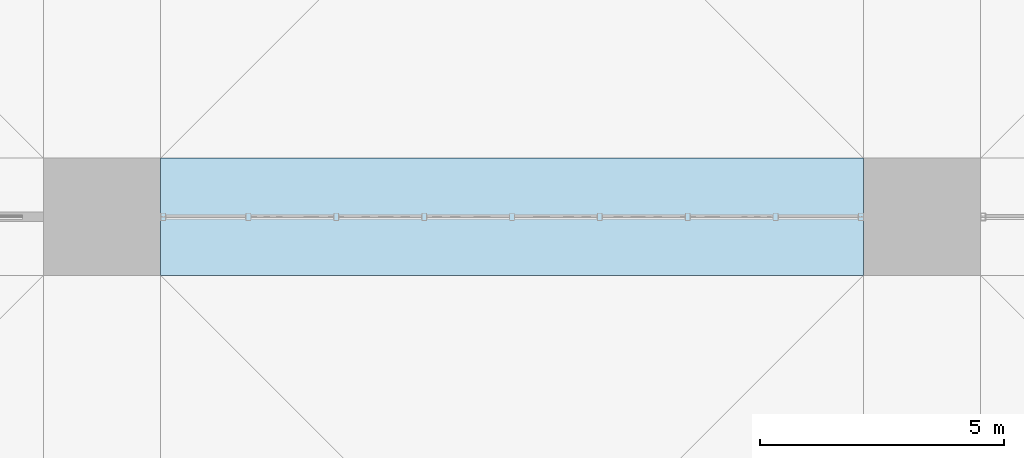
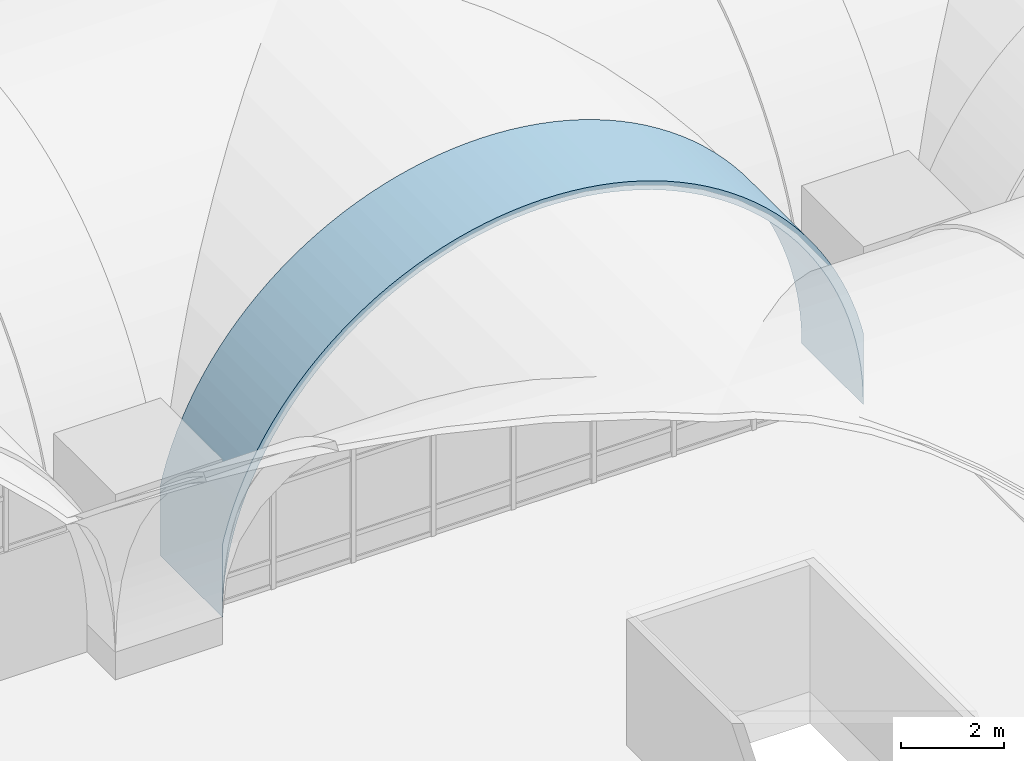
# One storey, part 130 of 169: 1 roof.
"""IFC4 building model written with IfcOpenShell, lengths in metres."""

from ifc_helpers import new_model, si_unit, direction, frame, origin, place, context, subcontext, project, spatial, polygons, material, layer, layer_set, type_object, element, save


model = new_model("IFC4")

# Units and contexts
model_context = context("Model", 3, precision=1e-05, world=origin(), true_north=direction((0.0, 1.0)))
body_context = subcontext(model_context, "Body", "Model", "MODEL_VIEW")
ifc_project = project(units=[si_unit("LENGTHUNIT", "METRE"), si_unit("AREAUNIT", "SQUARE_METRE"), si_unit("VOLUMEUNIT", "CUBIC_METRE"), si_unit("PLANEANGLEUNIT", "RADIAN"), si_unit("MASSUNIT", "GRAM", prefix="KILO")], contexts=[model_context])

# Site, building, storey
site_placement = place(None, origin())
site = spatial("IfcSite", under=ifc_project, at=site_placement, CompositionType="ELEMENT")
building_placement = place(site_placement, origin())
building = spatial("IfcBuilding", under=site, at=building_placement, Name="Verrick Yard Athletic Hall", CompositionType="ELEMENT")
storey_placement = place(building_placement, frame((0.0, 0.0, 4.39990234375)))
storey = spatial("IfcBuildingStorey", under=building, at=storey_placement, Name="L01", CompositionType="ELEMENT", Elevation=4.39990234375)

# Roof
ifc_material = material(Name="Concrete 35 MPa", Category="concrete")
ifc_layer = layer(ifc_material, 0.199951171875)
ifc_layer_set = layer_set([ifc_layer], Name="Arch rib 200")
roof_type = type_object("IfcRoofType", Name="Arch rib 200", PredefinedType="BARREL_ROOF", material=ifc_layer_set)
roof_placement = place(storey_placement, origin())
element("IfcRoof", 1, at=roof_placement, inside=storey, type_object=roof_type, Name="Vault rib M5", PredefinedType="BARREL_ROOF", context=body_context, shape_type="Tessellation", body=[
    polygons([(108.39990234375, 34.800048828125, 2.352294921875), (108.39990234375, 34.800048828125, 0.650146484375), (108.406982421875, 34.800048828125, 0.964111328125), (108.427490234375, 34.800048828125, 1.277587890625), (108.461669921875, 34.800048828125, 1.58984375), (108.509521484375, 34.800048828125, 1.900390625), (108.57080078125, 34.800048828125, 2.20849609375), (108.645263671875, 34.800048828125, 2.513671875), (108.733154296875, 34.800048828125, 2.815185546875), (108.834228515625, 34.800048828125, 3.112548828125), (108.947998046875, 34.800048828125, 3.405517578125), (109.07470703125, 34.800048828125, 3.693115234375), (109.21337890625, 34.800048828125, 3.974609375), (109.364501953125, 34.800048828125, 4.25), (109.527587890625, 34.800048828125, 4.518798828125), (109.7021484375, 34.800048828125, 4.77978515625), (109.887939453125, 34.800048828125, 5.033203125), (110.08447265625, 34.800048828125, 5.278076171875), (110.29150390625, 34.800048828125, 5.514404296875), (110.5087890625, 34.800048828125, 5.7412109375), (110.73583984375, 34.800048828125, 5.95849609375), (110.971923828125, 34.800048828125, 6.16552734375), (111.216796875, 34.800048828125, 6.3623046875), (111.47021484375, 34.800048828125, 6.548095703125), (111.7314453125, 34.800048828125, 6.722412109375), (112.0, 34.800048828125, 6.885498046875), (112.275390625, 34.800048828125, 7.03662109375), (112.55712890625, 34.800048828125, 7.175537109375), (112.8447265625, 34.800048828125, 7.302001953125), (113.137451171875, 34.800048828125, 7.416015625), (113.434814453125, 34.800048828125, 7.516845703125), (113.736572265625, 34.800048828125, 7.604736328125), (114.04150390625, 34.800048828125, 7.679443359375), (114.349609375, 34.800048828125, 7.74072265625), (114.66015625, 34.800048828125, 7.78857421875), (114.972412109375, 34.800048828125, 7.82275390625), (115.285888671875, 34.800048828125, 7.84326171875), (115.60009765625, 34.800048828125, 7.85009765625), (115.9140625, 34.800048828125, 7.84326171875), (116.2275390625, 34.800048828125, 7.82275390625), (116.539794921875, 34.800048828125, 7.78857421875), (116.850341796875, 34.800048828125, 7.74072265625), (117.158447265625, 34.800048828125, 7.679443359375), (117.46337890625, 34.800048828125, 7.604736328125), (117.76513671875, 34.800048828125, 7.516845703125), (118.0625, 34.800048828125, 7.416015625), (118.355224609375, 34.800048828125, 7.302001953125), (118.642822265625, 34.800048828125, 7.175537109375), (118.924560546875, 34.800048828125, 7.03662109375), (119.199951171875, 34.800048828125, 6.885498046875), (119.468505859375, 34.800048828125, 6.722412109375), (119.729736328125, 34.800048828125, 6.548095703125), (119.983154296875, 34.800048828125, 6.3623046875), (120.22802734375, 34.800048828125, 6.16552734375), (120.464111328125, 34.800048828125, 5.95849609375), (120.691162109375, 34.800048828125, 5.7412109375), (120.908447265625, 34.800048828125, 5.514404296875), (121.115478515625, 34.800048828125, 5.278076171875), (121.31201171875, 34.800048828125, 5.033203125), (121.497802734375, 34.800048828125, 4.77978515625), (121.67236328125, 34.800048828125, 4.518798828125), (121.83544921875, 34.800048828125, 4.25), (121.986572265625, 34.800048828125, 3.974609375), (122.12548828125, 34.800048828125, 3.693115234375), (122.251953125, 34.800048828125, 3.405517578125), (122.36572265625, 34.800048828125, 3.112548828125), (122.466796875, 34.800048828125, 2.815185546875), (122.5546875, 34.800048828125, 2.513671875), (122.62939453125, 34.800048828125, 2.20849609375), (122.690673828125, 34.800048828125, 1.900390625), (122.73828125, 34.800048828125, 1.58984375), (122.772705078125, 34.800048828125, 1.277587890625), (122.793212890625, 34.800048828125, 0.964111328125), (122.800048828125, 34.800048828125, 0.650146484375), (122.800048828125, 34.800048828125, 2.352294921875), (122.747802734375, 34.800048828125, 2.5654296875), (122.657470703125, 34.800048828125, 2.875244140625), (122.5537109375, 34.800048828125, 3.180908203125), (122.436767578125, 34.800048828125, 3.48193359375), (122.306640625, 34.800048828125, 3.777587890625), (122.163818359375, 34.800048828125, 4.06689453125), (122.008544921875, 34.800048828125, 4.35009765625), (121.841064453125, 34.800048828125, 4.6259765625), (121.66162109375, 34.800048828125, 4.89453125), (121.470703125, 34.800048828125, 5.15478515625), (121.268798828125, 34.800048828125, 5.40673828125), (121.055908203125, 34.800048828125, 5.6494140625), (120.83251953125, 34.800048828125, 5.8828125), (120.599365234375, 34.800048828125, 6.10595703125), (120.356689453125, 34.800048828125, 6.31884765625), (120.104736328125, 34.800048828125, 6.52099609375), (119.844482421875, 34.800048828125, 6.7119140625), (119.575927734375, 34.800048828125, 6.89111328125), (119.300048828125, 34.800048828125, 7.05859375), (119.016845703125, 34.800048828125, 7.214111328125), (118.727294921875, 34.800048828125, 7.356689453125), (118.431884765625, 34.800048828125, 7.48681640625), (118.130859375, 34.800048828125, 7.603759765625), (117.8251953125, 34.800048828125, 7.70751953125), (117.515380859375, 34.800048828125, 7.798095703125), (117.20166015625, 34.800048828125, 7.874755859375), (116.885009765625, 34.800048828125, 7.937744140625), (116.56591796875, 34.800048828125, 7.98681640625), (116.2451171875, 34.800048828125, 8.02197265625), (115.9228515625, 34.800048828125, 8.043212890625), (115.60009765625, 34.800048828125, 8.050048828125), (115.277099609375, 34.800048828125, 8.043212890625), (114.955078125, 34.800048828125, 8.02197265625), (114.634033203125, 34.800048828125, 7.98681640625), (114.31494140625, 34.800048828125, 7.937744140625), (113.998291015625, 34.800048828125, 7.874755859375), (113.684814453125, 34.800048828125, 7.798095703125), (113.374755859375, 34.800048828125, 7.70751953125), (113.069091796875, 34.800048828125, 7.603759765625), (112.76806640625, 34.800048828125, 7.48681640625), (112.47265625, 34.800048828125, 7.356689453125), (112.18310546875, 34.800048828125, 7.214111328125), (111.89990234375, 34.800048828125, 7.05859375), (111.6240234375, 34.800048828125, 6.89111328125), (111.35546875, 34.800048828125, 6.7119140625), (111.09521484375, 34.800048828125, 6.52099609375), (110.843505859375, 34.800048828125, 6.31884765625), (110.6005859375, 34.800048828125, 6.10595703125), (110.367431640625, 34.800048828125, 5.8828125), (110.14404296875, 34.800048828125, 5.6494140625), (109.931396484375, 34.800048828125, 5.40673828125), (109.729248046875, 34.800048828125, 5.15478515625), (109.538330078125, 34.800048828125, 4.89453125), (109.35888671875, 34.800048828125, 4.6259765625), (109.19140625, 34.800048828125, 4.35009765625), (109.0361328125, 34.800048828125, 4.06689453125), (108.893310546875, 34.800048828125, 3.777587890625), (108.76318359375, 34.800048828125, 3.48193359375), (108.646240234375, 34.800048828125, 3.180908203125), (108.54248046875, 34.800048828125, 2.875244140625), (108.4521484375, 34.800048828125, 2.5654296875), (108.39990234375, 37.199951171875, 2.352294921875), (108.39990234375, 37.199951171875, 0.650146484375), (108.406982421875, 37.199951171875, 0.964111328125), (108.427490234375, 37.199951171875, 1.277587890625), (108.461669921875, 37.199951171875, 1.58984375), (108.509521484375, 37.199951171875, 1.900390625), (108.57080078125, 37.199951171875, 2.20849609375), (108.645263671875, 37.199951171875, 2.513671875), (108.733154296875, 37.199951171875, 2.815185546875), (108.834228515625, 37.199951171875, 3.112548828125), (108.947998046875, 37.199951171875, 3.405517578125), (109.07470703125, 37.199951171875, 3.693115234375), (109.21337890625, 37.199951171875, 3.974609375), (109.364501953125, 37.199951171875, 4.25), (109.527587890625, 37.199951171875, 4.518798828125), (109.7021484375, 37.199951171875, 4.77978515625), (109.887939453125, 37.199951171875, 5.033203125), (110.08447265625, 37.199951171875, 5.278076171875), (110.29150390625, 37.199951171875, 5.514404296875), (110.5087890625, 37.199951171875, 5.7412109375), (110.73583984375, 37.199951171875, 5.95849609375), (110.971923828125, 37.199951171875, 6.16552734375), (111.216796875, 37.199951171875, 6.3623046875), (111.47021484375, 37.199951171875, 6.548095703125), (111.7314453125, 37.199951171875, 6.722412109375), (112.0, 37.199951171875, 6.885498046875), (112.275390625, 37.199951171875, 7.03662109375), (112.55712890625, 37.199951171875, 7.175537109375), (112.8447265625, 37.199951171875, 7.302001953125), (113.137451171875, 37.199951171875, 7.416015625), (113.434814453125, 37.199951171875, 7.516845703125), (113.736572265625, 37.199951171875, 7.604736328125), (114.04150390625, 37.199951171875, 7.679443359375), (114.349609375, 37.199951171875, 7.74072265625), (114.66015625, 37.199951171875, 7.78857421875), (114.972412109375, 37.199951171875, 7.82275390625), (115.285888671875, 37.199951171875, 7.84326171875), (115.60009765625, 37.199951171875, 7.85009765625), (115.9140625, 37.199951171875, 7.84326171875), (116.2275390625, 37.199951171875, 7.82275390625), (116.539794921875, 37.199951171875, 7.78857421875), (116.850341796875, 37.199951171875, 7.74072265625), (117.158447265625, 37.199951171875, 7.679443359375), (117.46337890625, 37.199951171875, 7.604736328125), (117.76513671875, 37.199951171875, 7.516845703125), (118.0625, 37.199951171875, 7.416015625), (118.355224609375, 37.199951171875, 7.302001953125), (118.642822265625, 37.199951171875, 7.175537109375), (118.924560546875, 37.199951171875, 7.03662109375), (119.199951171875, 37.199951171875, 6.885498046875), (119.468505859375, 37.199951171875, 6.722412109375), (119.729736328125, 37.199951171875, 6.548095703125), (119.983154296875, 37.199951171875, 6.3623046875), (120.22802734375, 37.199951171875, 6.16552734375), (120.464111328125, 37.199951171875, 5.95849609375), (120.691162109375, 37.199951171875, 5.7412109375), (120.908447265625, 37.199951171875, 5.514404296875), (121.115478515625, 37.199951171875, 5.278076171875), (121.31201171875, 37.199951171875, 5.033203125), (121.497802734375, 37.199951171875, 4.77978515625), (121.67236328125, 37.199951171875, 4.518798828125), (121.83544921875, 37.199951171875, 4.25), (121.986572265625, 37.199951171875, 3.974609375), (122.12548828125, 37.199951171875, 3.693115234375), (122.251953125, 37.199951171875, 3.405517578125), (122.36572265625, 37.199951171875, 3.112548828125), (122.466796875, 37.199951171875, 2.815185546875), (122.5546875, 37.199951171875, 2.513671875), (122.62939453125, 37.199951171875, 2.20849609375), (122.690673828125, 37.199951171875, 1.900390625), (122.73828125, 37.199951171875, 1.58984375), (122.772705078125, 37.199951171875, 1.277587890625), (122.793212890625, 37.199951171875, 0.964111328125), (122.800048828125, 37.199951171875, 0.650146484375), (122.800048828125, 37.199951171875, 2.352294921875), (122.747802734375, 37.199951171875, 2.5654296875), (122.657470703125, 37.199951171875, 2.875244140625), (122.5537109375, 37.199951171875, 3.180908203125), (122.436767578125, 37.199951171875, 3.48193359375), (122.306640625, 37.199951171875, 3.777587890625), (122.163818359375, 37.199951171875, 4.06689453125), (122.008544921875, 37.199951171875, 4.35009765625), (121.841064453125, 37.199951171875, 4.6259765625), (121.66162109375, 37.199951171875, 4.89453125), (121.470703125, 37.199951171875, 5.15478515625), (121.268798828125, 37.199951171875, 5.40673828125), (121.055908203125, 37.199951171875, 5.6494140625), (120.83251953125, 37.199951171875, 5.8828125), (120.599365234375, 37.199951171875, 6.10595703125), (120.356689453125, 37.199951171875, 6.31884765625), (120.104736328125, 37.199951171875, 6.52099609375), (119.844482421875, 37.199951171875, 6.7119140625), (119.575927734375, 37.199951171875, 6.89111328125), (119.300048828125, 37.199951171875, 7.05859375), (119.016845703125, 37.199951171875, 7.214111328125), (118.727294921875, 37.199951171875, 7.356689453125), (118.431884765625, 37.199951171875, 7.48681640625), (118.130859375, 37.199951171875, 7.603759765625), (117.8251953125, 37.199951171875, 7.70751953125), (117.515380859375, 37.199951171875, 7.798095703125), (117.20166015625, 37.199951171875, 7.874755859375), (116.885009765625, 37.199951171875, 7.937744140625), (116.56591796875, 37.199951171875, 7.98681640625), (116.2451171875, 37.199951171875, 8.02197265625), (115.9228515625, 37.199951171875, 8.043212890625), (115.60009765625, 37.199951171875, 8.050048828125), (115.277099609375, 37.199951171875, 8.043212890625), (114.955078125, 37.199951171875, 8.02197265625), (114.634033203125, 37.199951171875, 7.98681640625), (114.31494140625, 37.199951171875, 7.937744140625), (113.998291015625, 37.199951171875, 7.874755859375), (113.684814453125, 37.199951171875, 7.798095703125), (113.374755859375, 37.199951171875, 7.70751953125), (113.069091796875, 37.199951171875, 7.603759765625), (112.76806640625, 37.199951171875, 7.48681640625), (112.47265625, 37.199951171875, 7.356689453125), (112.18310546875, 37.199951171875, 7.214111328125), (111.89990234375, 37.199951171875, 7.05859375), (111.6240234375, 37.199951171875, 6.89111328125), (111.35546875, 37.199951171875, 6.7119140625), (111.09521484375, 37.199951171875, 6.52099609375), (110.843505859375, 37.199951171875, 6.31884765625), (110.6005859375, 37.199951171875, 6.10595703125), (110.367431640625, 37.199951171875, 5.8828125), (110.14404296875, 37.199951171875, 5.6494140625), (109.931396484375, 37.199951171875, 5.40673828125), (109.729248046875, 37.199951171875, 5.15478515625), (109.538330078125, 37.199951171875, 4.89453125), (109.35888671875, 37.199951171875, 4.6259765625), (109.19140625, 37.199951171875, 4.35009765625), (109.0361328125, 37.199951171875, 4.06689453125), (108.893310546875, 37.199951171875, 3.777587890625), (108.76318359375, 37.199951171875, 3.48193359375), (108.646240234375, 37.199951171875, 3.180908203125), (108.54248046875, 37.199951171875, 2.875244140625), (108.4521484375, 37.199951171875, 2.5654296875)], [[[1, 2, 3]], [[137, 139, 138]], [[136, 1, 3]], [[272, 139, 137]], [[136, 3, 4]], [[272, 140, 139]], [[136, 4, 5]], [[272, 141, 140]], [[136, 5, 6]], [[272, 142, 141]], [[136, 6, 7]], [[272, 143, 142]], [[136, 7, 8]], [[272, 144, 143]], [[136, 8, 9]], [[272, 145, 144]], [[136, 9, 10]], [[272, 146, 145]], [[136, 10, 11]], [[272, 147, 146]], [[136, 11, 12]], [[272, 148, 147]], [[136, 12, 13]], [[272, 149, 148]], [[73, 74, 75]], [[209, 211, 210]], [[72, 73, 75]], [[208, 211, 209]], [[71, 72, 75]], [[207, 211, 208]], [[70, 71, 75]], [[206, 211, 207]], [[69, 70, 75]], [[205, 211, 206]], [[68, 69, 75]], [[204, 211, 205]], [[67, 68, 75]], [[203, 211, 204]], [[66, 67, 75]], [[202, 211, 203]], [[65, 66, 75]], [[201, 211, 202]], [[64, 65, 75]], [[200, 211, 201]], [[63, 64, 75]], [[199, 211, 200]], [[63, 75, 76]], [[199, 212, 211]], [[63, 76, 77]], [[199, 213, 212]], [[62, 63, 77]], [[198, 213, 199]], [[62, 77, 78]], [[198, 214, 213]], [[61, 62, 78]], [[197, 214, 198]], [[61, 78, 79]], [[197, 215, 214]], [[60, 61, 79]], [[196, 215, 197]], [[60, 79, 80]], [[196, 216, 215]], [[59, 60, 80]], [[195, 216, 196]], [[59, 80, 81]], [[195, 217, 216]], [[58, 59, 81]], [[194, 217, 195]], [[58, 81, 82]], [[194, 218, 217]], [[57, 58, 82]], [[193, 218, 194]], [[57, 82, 83]], [[193, 219, 218]], [[56, 57, 83]], [[192, 219, 193]], [[56, 83, 84]], [[192, 220, 219]], [[55, 56, 84]], [[191, 220, 192]], [[55, 84, 85]], [[191, 221, 220]], [[54, 55, 85]], [[190, 221, 191]], [[54, 85, 86]], [[190, 222, 221]], [[53, 54, 86]], [[189, 222, 190]], [[53, 86, 87]], [[189, 223, 222]], [[52, 53, 87]], [[188, 223, 189]], [[52, 87, 88]], [[188, 224, 223]], [[51, 52, 88]], [[187, 224, 188]], [[51, 88, 89]], [[187, 225, 224]], [[50, 51, 89]], [[186, 225, 187]], [[50, 89, 90]], [[186, 226, 225]], [[49, 50, 90]], [[185, 226, 186]], [[49, 90, 91]], [[185, 227, 226]], [[48, 49, 91]], [[184, 227, 185]], [[48, 91, 92]], [[184, 228, 227]], [[47, 48, 92]], [[183, 228, 184]], [[47, 92, 93]], [[183, 229, 228]], [[46, 47, 93]], [[182, 229, 183]], [[46, 93, 94]], [[182, 230, 229]], [[45, 46, 94]], [[181, 230, 182]], [[45, 94, 95]], [[181, 231, 230]], [[44, 45, 95]], [[180, 231, 181]], [[44, 95, 96]], [[180, 232, 231]], [[43, 44, 96]], [[179, 232, 180]], [[43, 96, 97]], [[179, 233, 232]], [[42, 43, 97]], [[178, 233, 179]], [[42, 97, 98]], [[178, 234, 233]], [[41, 42, 98]], [[177, 234, 178]], [[41, 98, 99]], [[177, 235, 234]], [[40, 41, 99]], [[176, 235, 177]], [[40, 99, 100]], [[176, 236, 235]], [[39, 40, 100]], [[175, 236, 176]], [[39, 100, 101]], [[175, 237, 236]], [[38, 39, 101]], [[174, 237, 175]], [[38, 101, 102]], [[174, 238, 237]], [[37, 38, 102]], [[173, 238, 174]], [[37, 102, 103]], [[173, 239, 238]], [[36, 37, 103]], [[172, 239, 173]], [[36, 103, 104]], [[172, 240, 239]], [[35, 36, 104]], [[171, 240, 172]], [[35, 104, 105]], [[171, 241, 240]], [[34, 35, 105]], [[170, 241, 171]], [[34, 105, 106]], [[170, 242, 241]], [[33, 34, 106]], [[169, 242, 170]], [[33, 106, 107]], [[169, 243, 242]], [[32, 33, 107]], [[168, 243, 169]], [[32, 107, 108]], [[168, 244, 243]], [[31, 32, 108]], [[167, 244, 168]], [[31, 108, 109]], [[167, 245, 244]], [[30, 31, 109]], [[166, 245, 167]], [[30, 109, 110]], [[166, 246, 245]], [[29, 30, 110]], [[165, 246, 166]], [[29, 110, 111]], [[165, 247, 246]], [[28, 29, 111]], [[164, 247, 165]], [[28, 111, 112]], [[164, 248, 247]], [[27, 28, 112]], [[163, 248, 164]], [[27, 112, 113]], [[163, 249, 248]], [[26, 27, 113]], [[162, 249, 163]], [[26, 113, 114]], [[162, 250, 249]], [[25, 26, 114]], [[161, 250, 162]], [[25, 114, 115]], [[161, 251, 250]], [[24, 25, 115]], [[160, 251, 161]], [[24, 115, 116]], [[160, 252, 251]], [[23, 24, 116]], [[159, 252, 160]], [[23, 116, 117]], [[159, 253, 252]], [[22, 23, 117]], [[158, 253, 159]], [[22, 117, 118]], [[158, 254, 253]], [[21, 22, 118]], [[157, 254, 158]], [[21, 118, 119]], [[157, 255, 254]], [[20, 21, 119]], [[156, 255, 157]], [[20, 119, 120]], [[156, 256, 255]], [[19, 20, 120]], [[155, 256, 156]], [[19, 120, 121]], [[155, 257, 256]], [[18, 19, 121]], [[154, 257, 155]], [[18, 121, 122]], [[154, 258, 257]], [[17, 18, 122]], [[153, 258, 154]], [[17, 122, 123]], [[153, 259, 258]], [[16, 17, 123]], [[152, 259, 153]], [[16, 123, 124]], [[152, 260, 259]], [[15, 16, 124]], [[151, 260, 152]], [[15, 124, 125]], [[151, 261, 260]], [[14, 15, 125]], [[150, 261, 151]], [[14, 125, 126]], [[150, 262, 261]], [[13, 14, 126]], [[149, 262, 150]], [[136, 13, 126]], [[272, 262, 149]], [[136, 126, 127]], [[272, 263, 262]], [[136, 127, 128]], [[272, 264, 263]], [[136, 128, 129]], [[272, 265, 264]], [[136, 129, 130]], [[272, 266, 265]], [[136, 130, 131]], [[272, 267, 266]], [[136, 131, 132]], [[272, 268, 267]], [[136, 132, 133]], [[272, 269, 268]], [[136, 133, 134]], [[272, 270, 269]], [[134, 135, 136]], [[270, 272, 271]], [[1, 138, 2]], [[1, 137, 138]], [[2, 139, 3]], [[2, 138, 139]], [[3, 140, 4]], [[3, 139, 140]], [[4, 141, 5]], [[4, 140, 141]], [[5, 142, 6]], [[5, 141, 142]], [[6, 143, 7]], [[6, 142, 143]], [[7, 144, 8]], [[7, 143, 144]], [[8, 145, 9]], [[8, 144, 145]], [[9, 146, 10]], [[9, 145, 146]], [[10, 147, 11]], [[10, 146, 147]], [[11, 148, 12]], [[11, 147, 148]], [[12, 149, 13]], [[12, 148, 149]], [[13, 150, 14]], [[13, 149, 150]], [[14, 151, 15]], [[14, 150, 151]], [[15, 152, 16]], [[15, 151, 152]], [[16, 153, 17]], [[16, 152, 153]], [[17, 154, 18]], [[17, 153, 154]], [[18, 155, 19]], [[18, 154, 155]], [[19, 156, 20]], [[19, 155, 156]], [[20, 157, 21]], [[20, 156, 157]], [[21, 158, 22]], [[21, 157, 158]], [[22, 159, 23]], [[22, 158, 159]], [[23, 160, 24]], [[23, 159, 160]], [[24, 161, 25]], [[24, 160, 161]], [[25, 162, 26]], [[25, 161, 162]], [[26, 163, 27]], [[26, 162, 163]], [[27, 164, 28]], [[27, 163, 164]], [[28, 165, 29]], [[28, 164, 165]], [[29, 166, 30]], [[29, 165, 166]], [[30, 167, 31]], [[30, 166, 167]], [[31, 168, 32]], [[31, 167, 168]], [[32, 169, 33]], [[32, 168, 169]], [[33, 170, 34]], [[33, 169, 170]], [[34, 171, 35]], [[34, 170, 171]], [[35, 172, 36]], [[35, 171, 172]], [[36, 173, 37]], [[36, 172, 173]], [[37, 174, 38]], [[37, 173, 174]], [[38, 175, 39]], [[38, 174, 175]], [[39, 176, 40]], [[39, 175, 176]], [[40, 177, 41]], [[40, 176, 177]], [[41, 178, 42]], [[41, 177, 178]], [[42, 179, 43]], [[42, 178, 179]], [[43, 180, 44]], [[43, 179, 180]], [[44, 181, 45]], [[44, 180, 181]], [[45, 182, 46]], [[45, 181, 182]], [[46, 183, 47]], [[46, 182, 183]], [[47, 184, 48]], [[47, 183, 184]], [[48, 185, 49]], [[48, 184, 185]], [[49, 186, 50]], [[49, 185, 186]], [[50, 187, 51]], [[50, 186, 187]], [[51, 188, 52]], [[51, 187, 188]], [[52, 189, 53]], [[52, 188, 189]], [[53, 190, 54]], [[53, 189, 190]], [[54, 191, 55]], [[54, 190, 191]], [[55, 192, 56]], [[55, 191, 192]], [[56, 193, 57]], [[56, 192, 193]], [[57, 194, 58]], [[57, 193, 194]], [[58, 195, 59]], [[58, 194, 195]], [[59, 196, 60]], [[59, 195, 196]], [[60, 197, 61]], [[60, 196, 197]], [[61, 198, 62]], [[61, 197, 198]], [[62, 199, 63]], [[62, 198, 199]], [[63, 200, 64]], [[63, 199, 200]], [[64, 201, 65]], [[64, 200, 201]], [[65, 202, 66]], [[65, 201, 202]], [[66, 203, 67]], [[66, 202, 203]], [[67, 204, 68]], [[67, 203, 204]], [[68, 205, 69]], [[68, 204, 205]], [[69, 206, 70]], [[69, 205, 206]], [[70, 207, 71]], [[70, 206, 207]], [[71, 208, 72]], [[71, 207, 208]], [[72, 209, 73]], [[72, 208, 209]], [[73, 210, 74]], [[73, 209, 210]], [[74, 211, 75]], [[74, 210, 211]], [[75, 212, 76]], [[75, 211, 212]], [[76, 213, 77]], [[76, 212, 213]], [[77, 214, 78]], [[77, 213, 214]], [[78, 215, 79]], [[78, 214, 215]], [[79, 216, 80]], [[79, 215, 216]], [[80, 217, 81]], [[80, 216, 217]], [[81, 218, 82]], [[81, 217, 218]], [[82, 219, 83]], [[82, 218, 219]], [[83, 220, 84]], [[83, 219, 220]], [[84, 221, 85]], [[84, 220, 221]], [[85, 222, 86]], [[85, 221, 222]], [[86, 223, 87]], [[86, 222, 223]], [[87, 224, 88]], [[87, 223, 224]], [[88, 225, 89]], [[88, 224, 225]], [[89, 226, 90]], [[89, 225, 226]], [[90, 227, 91]], [[90, 226, 227]], [[91, 228, 92]], [[91, 227, 228]], [[92, 229, 93]], [[92, 228, 229]], [[93, 230, 94]], [[93, 229, 230]], [[94, 231, 95]], [[94, 230, 231]], [[95, 232, 96]], [[95, 231, 232]], [[96, 233, 97]], [[96, 232, 233]], [[97, 234, 98]], [[97, 233, 234]], [[98, 235, 99]], [[98, 234, 235]], [[99, 236, 100]], [[99, 235, 236]], [[100, 237, 101]], [[100, 236, 237]], [[101, 238, 102]], [[101, 237, 238]], [[102, 239, 103]], [[102, 238, 239]], [[103, 240, 104]], [[103, 239, 240]], [[104, 241, 105]], [[104, 240, 241]], [[105, 242, 106]], [[105, 241, 242]], [[106, 243, 107]], [[106, 242, 243]], [[107, 244, 108]], [[107, 243, 244]], [[108, 245, 109]], [[108, 244, 245]], [[109, 246, 110]], [[109, 245, 246]], [[110, 247, 111]], [[110, 246, 247]], [[111, 248, 112]], [[111, 247, 248]], [[112, 249, 113]], [[112, 248, 249]], [[113, 250, 114]], [[113, 249, 250]], [[114, 251, 115]], [[114, 250, 251]], [[115, 252, 116]], [[115, 251, 252]], [[116, 253, 117]], [[116, 252, 253]], [[117, 254, 118]], [[117, 253, 254]], [[118, 255, 119]], [[118, 254, 255]], [[119, 256, 120]], [[119, 255, 256]], [[120, 257, 121]], [[120, 256, 257]], [[121, 258, 122]], [[121, 257, 258]], [[122, 259, 123]], [[122, 258, 259]], [[123, 260, 124]], [[123, 259, 260]], [[124, 261, 125]], [[124, 260, 261]], [[125, 262, 126]], [[125, 261, 262]], [[126, 263, 127]], [[126, 262, 263]], [[127, 264, 128]], [[127, 263, 264]], [[128, 265, 129]], [[128, 264, 265]], [[129, 266, 130]], [[129, 265, 266]], [[130, 267, 131]], [[130, 266, 267]], [[131, 268, 132]], [[131, 267, 268]], [[132, 269, 133]], [[132, 268, 269]], [[133, 270, 134]], [[133, 269, 270]], [[134, 271, 135]], [[134, 270, 271]], [[135, 272, 136]], [[135, 271, 272]], [[136, 137, 1]], [[136, 272, 137]]], closed=True),
])

save(model, "model.ifc")
